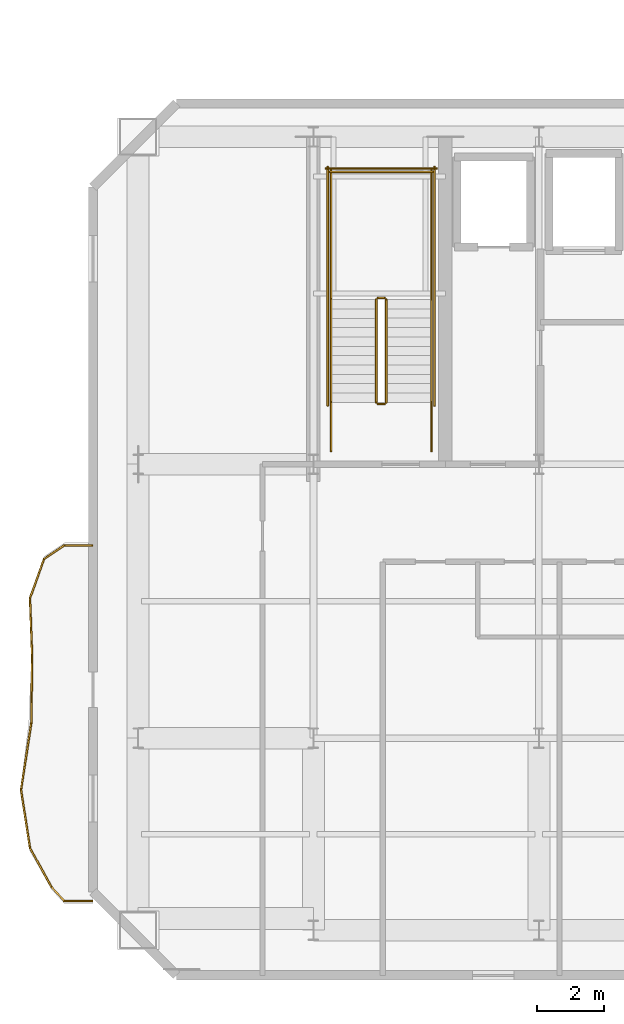
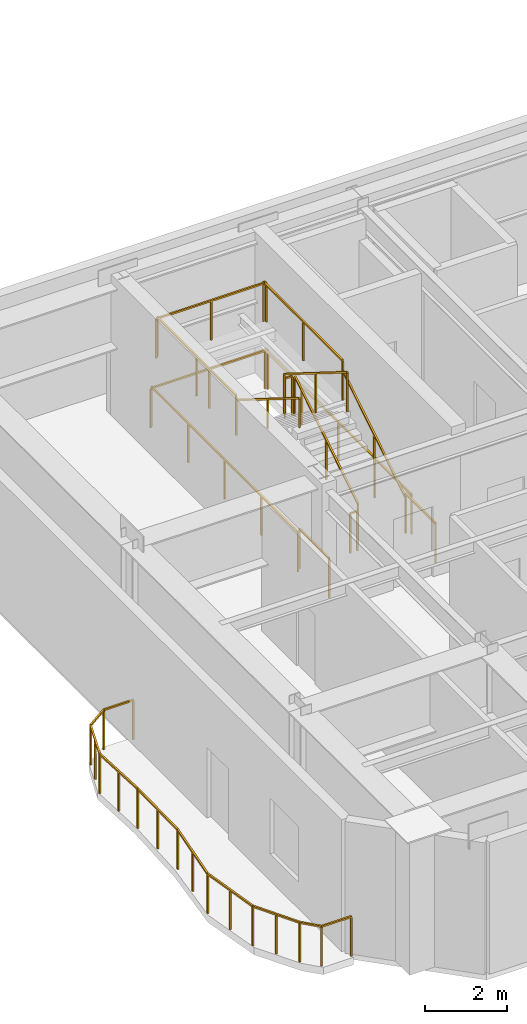
# One storey, part 14 of 16: 24 railings.
"""IFC4 building model written with IfcOpenShell, lengths in metres."""

from ifc_helpers import new_model, si_unit, direction, frame, origin, origin_2d, place, context, subcontext, project, spatial, rectangle, extrude, material, type_object, element, save


model = new_model("IFC4")

# Units and contexts
model_context = context("Model", 3, precision=1e-05, world=origin(), true_north=direction((0.0, 1.0)))
body_context = subcontext(model_context, "Body", "Model", "MODEL_VIEW")
ifc_project = project(units=[si_unit("LENGTHUNIT", "METRE"), si_unit("AREAUNIT", "SQUARE_METRE"), si_unit("VOLUMEUNIT", "CUBIC_METRE"), si_unit("PLANEANGLEUNIT", "RADIAN"), si_unit("MASSUNIT", "GRAM", prefix="KILO")], contexts=[model_context])

# Site, building, storey
site_placement = place(None, origin())
site = spatial("IfcSite", under=ifc_project, at=site_placement, CompositionType="ELEMENT")
building_placement = place(site_placement, origin())
building = spatial("IfcBuilding", under=site, at=building_placement, Name="Haevon Station Towers", CompositionType="ELEMENT")
storey_placement = place(building_placement, frame((0.0, 0.0, 235.199951171875)))
storey = spatial("IfcBuildingStorey", under=building, at=storey_placement, Name="L65", CompositionType="ELEMENT", Elevation=235.199951171875)

# Railings
ifc_material = material(Name="Steel S355", Category="steel")
railing_type_1 = type_object("IfcRailingType", Name="GRD-EXT1200", PredefinedType="GUARDRAIL", material=ifc_material)
railing_1_placement = place(storey_placement, frame((17.37646484375, 35.772216796875, 0.0)))
element("IfcRailing", 1, at=railing_1_placement, inside=storey, type_object=railing_type_1, Name="L65 Perimeter Guardrail 1", PredefinedType="GUARDRAIL", context=body_context, shape_type="SweptSolid", body=[
    extrude(rectangle(XDim=0.048095703125, YDim=0.048095703125, at=origin_2d()), frame((0.0, 0.0, 1.17578125), z_axis=(-0.999997283225, -0.002330995998, 0.0), x_axis=(0.002330995998, -0.999997283225, 0.0)), (0.0, 0.0, 1.0), 0.837890625),
    extrude(rectangle(XDim=0.0419921875, YDim=0.0419921875, at=origin_2d()), origin(), (0.0, 0.0, 1.0), 1.15185546875),
    extrude(rectangle(XDim=0.0419921875, YDim=0.0419921875, at=origin_2d()), frame((-0.837890625, -0.001953125, 0.0)), (0.0, 0.0, 1.0), 1.15185546875),
])
railing_2_placement = place(storey_placement, frame((16.53857421875, 35.770263671875, 0.0)))
element("IfcRailing", 2, at=railing_2_placement, inside=storey, type_object=railing_type_1, Name="L65 Perimeter Guardrail 2", PredefinedType="GUARDRAIL", context=body_context, shape_type="SweptSolid", body=[
    extrude(rectangle(XDim=0.048095703125, YDim=0.048095703125, at=origin_2d()), frame((0.0, 0.0, 1.17578125), z_axis=(-0.826509956725, -0.56292210068, 0.0), x_axis=(0.56292210068, -0.826509956725, 0.0)), (0.0, 0.0, 1.0), 0.730712890625),
    extrude(rectangle(XDim=0.0419921875, YDim=0.0419921875, at=origin_2d()), origin(), (0.0, 0.0, 1.0), 1.15185546875),
    extrude(rectangle(XDim=0.0419921875, YDim=0.0419921875, at=origin_2d()), frame((-0.60400390625, -0.411376953125, 0.0)), (0.0, 0.0, 1.0), 1.15185546875),
])
railing_3_placement = place(storey_placement, frame((15.9345703125, 35.35888671875, 0.0)))
element("IfcRailing", 3, at=railing_3_placement, inside=storey, type_object=railing_type_1, Name="L65 Perimeter Guardrail 3", PredefinedType="GUARDRAIL", context=body_context, shape_type="SweptSolid", body=[
    extrude(rectangle(XDim=0.048095703125, YDim=0.048095703125, at=origin_2d()), frame((0.0, 0.0, 1.17578125), z_axis=(-0.337431724069, -0.941350004829, 0.0), x_axis=(0.941350004829, -0.337431724069, 0.0)), (0.0, 0.0, 1.0), 1.2421875),
    extrude(rectangle(XDim=0.0419921875, YDim=0.0419921875, at=origin_2d()), origin(), (0.0, 0.0, 1.0), 1.15185546875),
    extrude(rectangle(XDim=0.0419921875, YDim=0.0419921875, at=origin_2d()), frame((-0.20947265625, -0.584716796875, 0.0)), (0.0, 0.0, 1.0), 1.15185546875),
    extrude(rectangle(XDim=0.0419921875, YDim=0.0419921875, at=origin_2d()), frame((-0.419189453125, -1.16943359375, 0.0)), (0.0, 0.0, 1.0), 1.15185546875),
])
railing_4_placement = place(storey_placement, frame((15.515380859375, 34.189453125, 0.0)))
element("IfcRailing", 4, at=railing_4_placement, inside=storey, type_object=railing_type_1, Name="L65 Perimeter Guardrail 4", PredefinedType="GUARDRAIL", context=body_context, shape_type="SweptSolid", body=[
    extrude(rectangle(XDim=0.048095703125, YDim=0.048095703125, at=origin_2d()), frame((0.0, 0.0, 1.17578125), z_axis=(0.036800275781, -0.999322640443, 0.0), x_axis=(0.999322640443, 0.036800275781, 0.0)), (0.0, 0.0, 1.0), 1.75146484375),
    extrude(rectangle(XDim=0.0419921875, YDim=0.0419921875, at=origin_2d()), origin(), (0.0, 0.0, 1.0), 1.15185546875),
    extrude(rectangle(XDim=0.0419921875, YDim=0.0419921875, at=origin_2d()), frame((0.0322265625, -0.875, 0.0)), (0.0, 0.0, 1.0), 1.15185546875),
    extrude(rectangle(XDim=0.0419921875, YDim=0.0419921875, at=origin_2d()), frame((0.064453125, -1.750244140625, 0.0)), (0.0, 0.0, 1.0), 1.15185546875),
])
railing_5_placement = place(storey_placement, frame((15.579833984375, 32.439208984375, 0.0)))
element("IfcRailing", 5, at=railing_5_placement, inside=storey, type_object=railing_type_1, Name="L65 Perimeter Guardrail 5", PredefinedType="GUARDRAIL", context=body_context, shape_type="SweptSolid", body=[
    extrude(rectangle(XDim=0.048095703125, YDim=0.048095703125, at=origin_2d()), frame((0.0, 0.0, 1.17578125), z_axis=(-0.01276282884, -0.999918551783, 0.0), x_axis=(0.999918551783, -0.01276282884, 0.0)), (0.0, 0.0, 1.0), 1.989501953125),
    extrude(rectangle(XDim=0.0419921875, YDim=0.0419921875, at=origin_2d()), origin(), (0.0, 0.0, 1.0), 1.15185546875),
    extrude(rectangle(XDim=0.0419921875, YDim=0.0419921875, at=origin_2d()), frame((-0.0126953125, -0.99462890625, 0.0)), (0.0, 0.0, 1.0), 1.15185546875),
    extrude(rectangle(XDim=0.0419921875, YDim=0.0419921875, at=origin_2d()), frame((-0.025390625, -1.9892578125, 0.0)), (0.0, 0.0, 1.0), 1.15185546875),
])
railing_6_placement = place(storey_placement, frame((15.554443359375, 30.449951171875, 0.0)))
element("IfcRailing", 6, at=railing_6_placement, inside=storey, type_object=railing_type_1, Name="L65 Perimeter Guardrail 6", PredefinedType="GUARDRAIL", context=body_context, shape_type="SweptSolid", body=[
    extrude(rectangle(XDim=0.048095703125, YDim=0.048095703125, at=origin_2d()), frame((0.0, 0.0, 1.17578125), z_axis=(-0.151957098887, -0.988387090212, 0.0), x_axis=(0.988387090212, -0.151957098887, 0.0)), (0.0, 0.0, 1.0), 2.016357421875),
    extrude(rectangle(XDim=0.0419921875, YDim=0.0419921875, at=origin_2d()), origin(), (0.0, 0.0, 1.0), 1.15185546875),
    extrude(rectangle(XDim=0.0419921875, YDim=0.0419921875, at=origin_2d()), frame((-0.1533203125, -0.99658203125, 0.0)), (0.0, 0.0, 1.0), 1.15185546875),
    extrude(rectangle(XDim=0.0419921875, YDim=0.0419921875, at=origin_2d()), frame((-0.306396484375, -1.992919921875, 0.0)), (0.0, 0.0, 1.0), 1.15185546875),
])
railing_7_placement = place(storey_placement, frame((15.248046875, 28.45703125, 0.0)))
element("IfcRailing", 7, at=railing_7_placement, inside=storey, type_object=railing_type_1, Name="L65 Perimeter Guardrail 7", PredefinedType="GUARDRAIL", context=body_context, shape_type="SweptSolid", body=[
    extrude(rectangle(XDim=0.048095703125, YDim=0.048095703125, at=origin_2d()), frame((0.0, 0.0, 1.17578125), z_axis=(0.151319853564, -0.988484851638, 0.0), x_axis=(0.988484851638, 0.151319853564, 0.0)), (0.0, 0.0, 1.0), 1.7666015625),
    extrude(rectangle(XDim=0.0419921875, YDim=0.0419921875, at=origin_2d()), origin(), (0.0, 0.0, 1.0), 1.15185546875),
    extrude(rectangle(XDim=0.0419921875, YDim=0.0419921875, at=origin_2d()), frame((0.1337890625, -0.873046875, 0.0)), (0.0, 0.0, 1.0), 1.15185546875),
    extrude(rectangle(XDim=0.0419921875, YDim=0.0419921875, at=origin_2d()), frame((0.267333984375, -1.746337890625, 0.0)), (0.0, 0.0, 1.0), 1.15185546875),
])
railing_8_placement = place(storey_placement, frame((15.515380859375, 26.710693359375, 0.0)))
element("IfcRailing", 8, at=railing_8_placement, inside=storey, type_object=railing_type_1, Name="L65 Perimeter Guardrail 8", PredefinedType="GUARDRAIL", context=body_context, shape_type="SweptSolid", body=[
    extrude(rectangle(XDim=0.048095703125, YDim=0.048095703125, at=origin_2d()), frame((0.0, 0.0, 1.17578125), z_axis=(0.483454046519, -0.875369741826, 0.0), x_axis=(0.875369741826, 0.483454046519, 0.0)), (0.0, 0.0, 1.0), 1.336181640625),
    extrude(rectangle(XDim=0.0419921875, YDim=0.0419921875, at=origin_2d()), origin(), (0.0, 0.0, 1.0), 1.15185546875),
    extrude(rectangle(XDim=0.0419921875, YDim=0.0419921875, at=origin_2d()), frame((0.322998046875, -0.5849609375, 0.0)), (0.0, 0.0, 1.0), 1.15185546875),
    extrude(rectangle(XDim=0.0419921875, YDim=0.0419921875, at=origin_2d()), frame((0.64599609375, -1.169677734375, 0.0)), (0.0, 0.0, 1.0), 1.15185546875),
])
railing_9_placement = place(storey_placement, frame((16.161376953125, 25.541015625, 0.0)))
element("IfcRailing", 9, at=railing_9_placement, inside=storey, type_object=railing_type_1, Name="L65 Perimeter Guardrail 9", PredefinedType="GUARDRAIL", context=body_context, shape_type="SweptSolid", body=[
    extrude(rectangle(XDim=0.048095703125, YDim=0.048095703125, at=origin_2d()), frame((0.0, 0.0, 1.17578125), z_axis=(0.67582366234, -0.737063346953, 0.0), x_axis=(0.737063346953, 0.67582366234, 0.0)), (0.0, 0.0, 1.0), 0.55810546875),
    extrude(rectangle(XDim=0.0419921875, YDim=0.0419921875, at=origin_2d()), origin(), (0.0, 0.0, 1.0), 1.15185546875),
    extrude(rectangle(XDim=0.0419921875, YDim=0.0419921875, at=origin_2d()), frame((0.377197265625, -0.411376953125, 0.0)), (0.0, 0.0, 1.0), 1.15185546875),
])
railing_10_placement = place(storey_placement, frame((16.53857421875, 25.129638671875, 0.0)))
element("IfcRailing", 10, at=railing_10_placement, inside=storey, type_object=railing_type_1, Name="L65 Perimeter Guardrail 10", PredefinedType="GUARDRAIL", context=body_context, shape_type="SweptSolid", body=[
    extrude(rectangle(XDim=0.048095703125, YDim=0.048095703125, at=origin_2d()), frame((0.0, 0.0, 1.17578125), z_axis=(0.999997919967, -0.002039622797, 0.0), x_axis=(0.002039622797, 0.999997919967, 0.0)), (0.0, 0.0, 1.0), 0.837890625),
    extrude(rectangle(XDim=0.0419921875, YDim=0.0419921875, at=origin_2d()), origin(), (0.0, 0.0, 1.0), 1.15185546875),
    extrude(rectangle(XDim=0.0419921875, YDim=0.0419921875, at=origin_2d()), frame((0.837890625, -0.001708984375, 0.0)), (0.0, 0.0, 1.0), 1.15185546875),
])
railing_type_2 = type_object("IfcRailingType", Name="GRD-STR1200", PredefinedType="GUARDRAIL", material=ifc_material)
railing_11_placement = place(storey_placement, frame((26.179931640625, 40.050048828125, 0.175048828125)))
element("IfcRailing", 11, at=railing_11_placement, inside=storey, type_object=railing_type_2, Name="L65 ST1 Stair Guard 1", PredefinedType="GUARDRAIL", context=body_context, shape_type="SweptSolid", body=[
    extrude(rectangle(XDim=0.048095703125, YDim=0.048095703125, at=origin_2d()), frame((0.0, 0.0, 1.17578125), z_axis=(0.0, 0.847979421464, 0.530029150871), x_axis=(-1.0, 0.0, 0.0)), (0.0, 0.0, 1.0), 3.632080078125),
    extrude(rectangle(XDim=0.0419921875, YDim=0.0419921875, at=origin_2d()), origin(), (0.0, 0.0, 1.0), 1.15185546875),
    extrude(rectangle(XDim=0.0419921875, YDim=0.0419921875, at=origin_2d()), frame((0.0, 1.5400390625, 0.96240234375)), (0.0, 0.0, 1.0), 1.15185546875),
    extrude(rectangle(XDim=0.0419921875, YDim=0.0419921875, at=origin_2d()), frame((0.0, 3.079833984375, 1.925048828125)), (0.0, 0.0, 1.0), 1.15185546875),
])
railing_12_placement = place(storey_placement, frame((26.1298828125, 43.179931640625, 2.10009765625)))
element("IfcRailing", 12, at=railing_12_placement, inside=storey, type_object=railing_type_2, Name="L65 ST1 Stair Guard 2", PredefinedType="GUARDRAIL", context=body_context, shape_type="SweptSolid", body=[
    extrude(rectangle(XDim=0.048095703125, YDim=0.048095703125, at=origin_2d()), frame((0.0, 0.0, 1.17578125), z_axis=(-1.0, 0.0, 0.0), x_axis=(0.0, -1.0, 0.0)), (0.0, 0.0, 1.0), 0.199951171875),
    extrude(rectangle(XDim=0.0419921875, YDim=0.0419921875, at=origin_2d()), origin(), (0.0, 0.0, 1.0), 1.15185546875),
    extrude(rectangle(XDim=0.0419921875, YDim=0.0419921875, at=origin_2d()), frame((-0.199951171875, 0.0, 0.0)), (0.0, 0.0, 1.0), 1.15185546875),
])
for number, where, name in (
    (13, (27.530029296875, 43.1298828125, 2.10009765625), "L65 ST1 Stair Guard 3"),
    (14, (24.530029296875, 43.1298828125, 2.10009765625), "L65 ST1 Stair Guard 4"),
):
    element("IfcRailing", number, at=place(storey_placement, frame(where)), inside=storey, type_object=railing_type_2, Name=name, PredefinedType="GUARDRAIL", context=body_context, shape_type="SweptSolid", body=[
        extrude(rectangle(XDim=0.048095703125, YDim=0.048095703125, at=origin_2d()), frame((0.0, 0.0, 1.17578125), z_axis=(0.0, 1.0, 0.0), x_axis=(-1.0, 0.0, 0.0)), (0.0, 0.0, 1.0), 3.8701171875),
        extrude(rectangle(XDim=0.0419921875, YDim=0.0419921875, at=origin_2d()), origin(), (0.0, 0.0, 1.0), 1.15185546875),
        extrude(rectangle(XDim=0.0419921875, YDim=0.0419921875, at=origin_2d()), frame((0.0, 1.93505859375, 0.0)), (0.0, 0.0, 1.0), 1.15185546875),
        extrude(rectangle(XDim=0.0419921875, YDim=0.0419921875, at=origin_2d()), frame((0.0, 3.8701171875, 0.0)), (0.0, 0.0, 1.0), 1.15185546875),
    ])
railing_13_placement = place(storey_placement, frame((27.580078125, 46.949951171875, 2.10009765625)))
element("IfcRailing", 15, at=railing_13_placement, inside=storey, type_object=railing_type_2, Name="L65 ST1 Stair Guard 5", PredefinedType="GUARDRAIL", context=body_context, shape_type="SweptSolid", body=[
    extrude(rectangle(XDim=0.048095703125, YDim=0.048095703125, at=origin_2d()), frame((0.0, 0.0, 1.17578125), z_axis=(-1.0, 0.0, 0.0), x_axis=(0.0, -1.0, 0.0)), (0.0, 0.0, 1.0), 3.10009765625),
    extrude(rectangle(XDim=0.0419921875, YDim=0.0419921875, at=origin_2d()), origin(), (0.0, 0.0, 1.0), 1.15185546875),
    extrude(rectangle(XDim=0.0419921875, YDim=0.0419921875, at=origin_2d()), frame((-1.550048828125, 0.0, 0.0)), (0.0, 0.0, 1.0), 1.15185546875),
    extrude(rectangle(XDim=0.0419921875, YDim=0.0419921875, at=origin_2d()), frame((-3.10009765625, 0.0, 0.0)), (0.0, 0.0, 1.0), 1.15185546875),
])
railing_14_placement = place(storey_placement, frame((25.8798828125, 43.1298828125, 2.275146484375)))
element("IfcRailing", 16, at=railing_14_placement, inside=storey, type_object=railing_type_2, Name="L65 ST1 Stair Guard 6", PredefinedType="GUARDRAIL", context=body_context, shape_type="SweptSolid", body=[
    extrude(rectangle(XDim=0.048095703125, YDim=0.048095703125, at=origin_2d()), frame((0.0, 0.0, 1.17578125), z_axis=(0.0, -0.848009633417, 0.529980812513), x_axis=(1.0, 0.0, 0.0)), (0.0, 0.0, 1.0), 3.6318359375),
    extrude(rectangle(XDim=0.0419921875, YDim=0.0419921875, at=origin_2d()), origin(), (0.0, 0.0, 1.0), 1.15185546875),
    extrude(rectangle(XDim=0.0419921875, YDim=0.0419921875, at=origin_2d()), frame((0.0, -1.5400390625, 0.96240234375)), (0.0, 0.0, 1.0), 1.15185546875),
    extrude(rectangle(XDim=0.0419921875, YDim=0.0419921875, at=origin_2d()), frame((0.0, -3.079833984375, 1.9248046875)), (0.0, 0.0, 1.0), 1.15185546875),
])
railing_15_placement = place(storey_placement, frame((26.1298828125, 40.0, 0.0)))
element("IfcRailing", 17, at=railing_15_placement, inside=storey, type_object=railing_type_2, Name="L65 ST1 Stair Guard 7", PredefinedType="GUARDRAIL", context=body_context, shape_type="SweptSolid", body=[
    extrude(rectangle(XDim=0.048095703125, YDim=0.048095703125, at=origin_2d()), frame((0.0, 0.0, 1.17578125), z_axis=(-1.0, 0.0, 0.0), x_axis=(0.0, -1.0, 0.0)), (0.0, 0.0, 1.0), 0.199951171875),
    extrude(rectangle(XDim=0.0419921875, YDim=0.0419921875, at=origin_2d()), origin(), (0.0, 0.0, 1.0), 1.15185546875),
    extrude(rectangle(XDim=0.0419921875, YDim=0.0419921875, at=origin_2d()), frame((-0.199951171875, 0.0, 0.0)), (0.0, 0.0, 1.0), 1.15185546875),
])
for number, where, name in (
    (18, (27.530029296875, 38.60009765625, 0.0), "L65 ST1 Stair Guard 8"),
    (19, (24.530029296875, 38.60009765625, 0.0), "L65 ST1 Stair Guard 9"),
):
    element("IfcRailing", number, at=place(storey_placement, frame(where)), inside=storey, type_object=railing_type_2, Name=name, PredefinedType="GUARDRAIL", context=body_context, shape_type="SweptSolid", body=[
        extrude(rectangle(XDim=0.048095703125, YDim=0.048095703125, at=origin_2d()), frame((0.0, 0.0, 1.17578125), z_axis=(0.0, 1.0, 0.0), x_axis=(-1.0, 0.0, 0.0)), (0.0, 0.0, 1.0), 1.449951171875),
        extrude(rectangle(XDim=0.0419921875, YDim=0.0419921875, at=origin_2d()), origin(), (0.0, 0.0, 1.0), 1.15185546875),
        extrude(rectangle(XDim=0.0419921875, YDim=0.0419921875, at=origin_2d()), frame((0.0, 1.449951171875, 0.0)), (0.0, 0.0, 1.0), 1.15185546875),
    ])
for number, where, name in (
    (20, (27.6298828125, 39.949951171875, 0.0), "L65 ST1 Stair Guard 10"),
    (21, (24.429931640625, 39.949951171875, 0.0), "L65 ST1 Stair Guard 11"),
):
    element("IfcRailing", number, at=place(storey_placement, frame(where)), inside=storey, type_object=railing_type_2, Name=name, PredefinedType="GUARDRAIL", context=body_context, shape_type="SweptSolid", body=[
        extrude(rectangle(XDim=0.048095703125, YDim=0.048095703125, at=origin_2d()), frame((0.0, 0.0, 1.17578125), z_axis=(0.0, 1.0, 0.0), x_axis=(-1.0, 0.0, 0.0)), (0.0, 0.0, 1.0), 7.150146484375),
        extrude(rectangle(XDim=0.0419921875, YDim=0.0419921875, at=origin_2d()), origin(), (0.0, 0.0, 1.0), 1.15185546875),
        extrude(rectangle(XDim=0.0419921875, YDim=0.0419921875, at=origin_2d()), frame((0.0, 1.78759765625, 0.0)), (0.0, 0.0, 1.0), 1.15185546875),
        extrude(rectangle(XDim=0.0419921875, YDim=0.0419921875, at=origin_2d()), frame((0.0, 3.5751953125, 0.0)), (0.0, 0.0, 1.0), 1.15185546875),
        extrude(rectangle(XDim=0.0419921875, YDim=0.0419921875, at=origin_2d()), frame((0.0, 5.362548828125, 0.0)), (0.0, 0.0, 1.0), 1.15185546875),
        extrude(rectangle(XDim=0.0419921875, YDim=0.0419921875, at=origin_2d()), frame((0.0, 7.150146484375, 0.0)), (0.0, 0.0, 1.0), 1.15185546875),
    ])
railing_16_placement = place(storey_placement, frame((27.679931640625, 47.050048828125, 0.0)))
element("IfcRailing", 22, at=railing_16_placement, inside=storey, type_object=railing_type_2, Name="L65 ST1 Stair Guard 12", PredefinedType="GUARDRAIL", context=body_context, shape_type="SweptSolid", body=[
    extrude(rectangle(XDim=0.048095703125, YDim=0.048095703125, at=origin_2d()), frame((0.0, 0.0, 1.17578125), z_axis=(-1.0, 0.0, 0.0), x_axis=(0.0, -1.0, 0.0)), (0.0, 0.0, 1.0), 3.300048828125),
    extrude(rectangle(XDim=0.0419921875, YDim=0.0419921875, at=origin_2d()), origin(), (0.0, 0.0, 1.0), 1.15185546875),
    extrude(rectangle(XDim=0.0419921875, YDim=0.0419921875, at=origin_2d()), frame((-1.64990234375, 0.0, 0.0)), (0.0, 0.0, 1.0), 1.15185546875),
    extrude(rectangle(XDim=0.0419921875, YDim=0.0419921875, at=origin_2d()), frame((-3.300048828125, 0.0, 0.0)), (0.0, 0.0, 1.0), 1.15185546875),
])
railing_type_3 = type_object("IfcRailingType", Name="HND-STR900", PredefinedType="HANDRAIL", material=ifc_material)
railing_17_placement = place(storey_placement, frame((27.530029296875, 40.050048828125, 0.175048828125)))
element("IfcRailing", 23, at=railing_17_placement, inside=storey, type_object=railing_type_3, Name="L65 ST1 Stair Handrail 1", PredefinedType="HANDRAIL", context=body_context, shape_type="SweptSolid", body=[
    extrude(rectangle(XDim=0.048095703125, YDim=0.048095703125, at=origin_2d()), frame((0.0, 0.0, 0.8759765625), z_axis=(0.0, 0.847979421464, 0.530029150871), x_axis=(-1.0, 0.0, 0.0)), (0.0, 0.0, 1.0), 3.632080078125),
    extrude(rectangle(XDim=0.0419921875, YDim=0.0419921875, at=origin_2d()), origin(), (0.0, 0.0, 1.0), 0.851806640625),
    extrude(rectangle(XDim=0.0419921875, YDim=0.0419921875, at=origin_2d()), frame((0.0, 1.5400390625, 0.96240234375)), (0.0, 0.0, 1.0), 0.851806640625),
    extrude(rectangle(XDim=0.0419921875, YDim=0.0419921875, at=origin_2d()), frame((0.0, 3.079833984375, 1.925048828125)), (0.0, 0.0, 1.0), 0.851806640625),
])
railing_18_placement = place(storey_placement, frame((24.530029296875, 43.1298828125, 2.275146484375)))
element("IfcRailing", 24, at=railing_18_placement, inside=storey, type_object=railing_type_3, Name="L65 ST1 Stair Handrail 2", PredefinedType="HANDRAIL", context=body_context, shape_type="SweptSolid", body=[
    extrude(rectangle(XDim=0.048095703125, YDim=0.048095703125, at=origin_2d()), frame((0.0, 0.0, 0.8759765625), z_axis=(0.0, -0.848009633417, 0.529980812513), x_axis=(1.0, 0.0, 0.0)), (0.0, 0.0, 1.0), 3.6318359375),
    extrude(rectangle(XDim=0.0419921875, YDim=0.0419921875, at=origin_2d()), origin(), (0.0, 0.0, 1.0), 0.851806640625),
    extrude(rectangle(XDim=0.0419921875, YDim=0.0419921875, at=origin_2d()), frame((0.0, -1.5400390625, 0.96240234375)), (0.0, 0.0, 1.0), 0.851806640625),
    extrude(rectangle(XDim=0.0419921875, YDim=0.0419921875, at=origin_2d()), frame((0.0, -3.079833984375, 1.9248046875)), (0.0, 0.0, 1.0), 0.851806640625),
])

save(model, "model.ifc")
